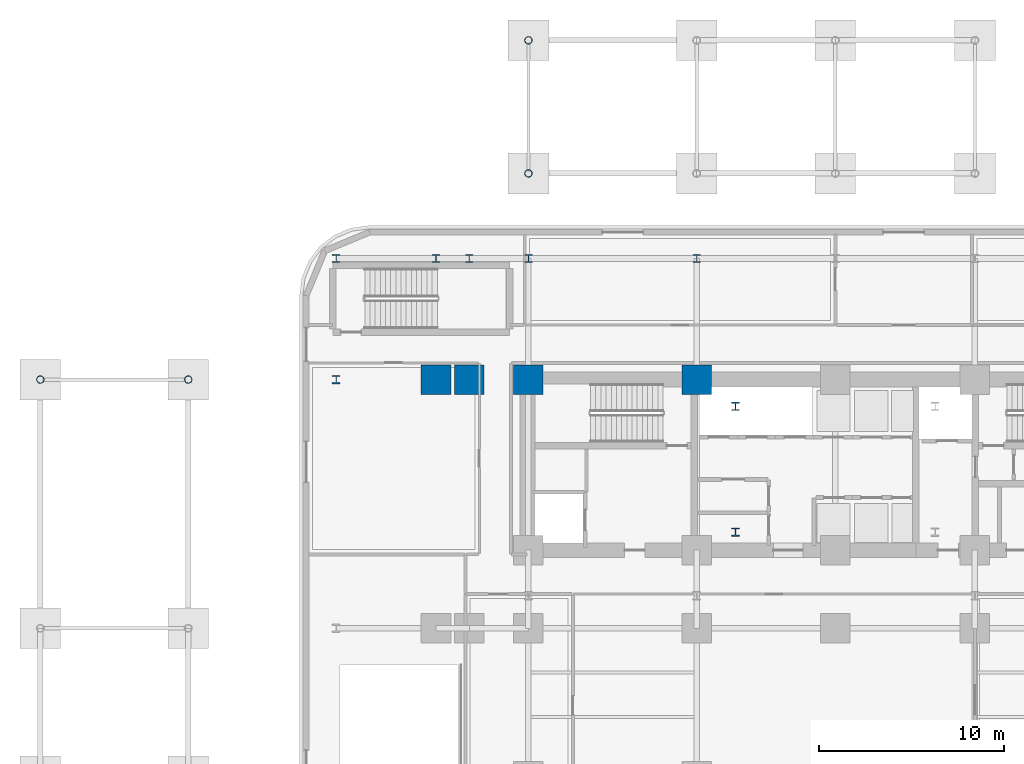
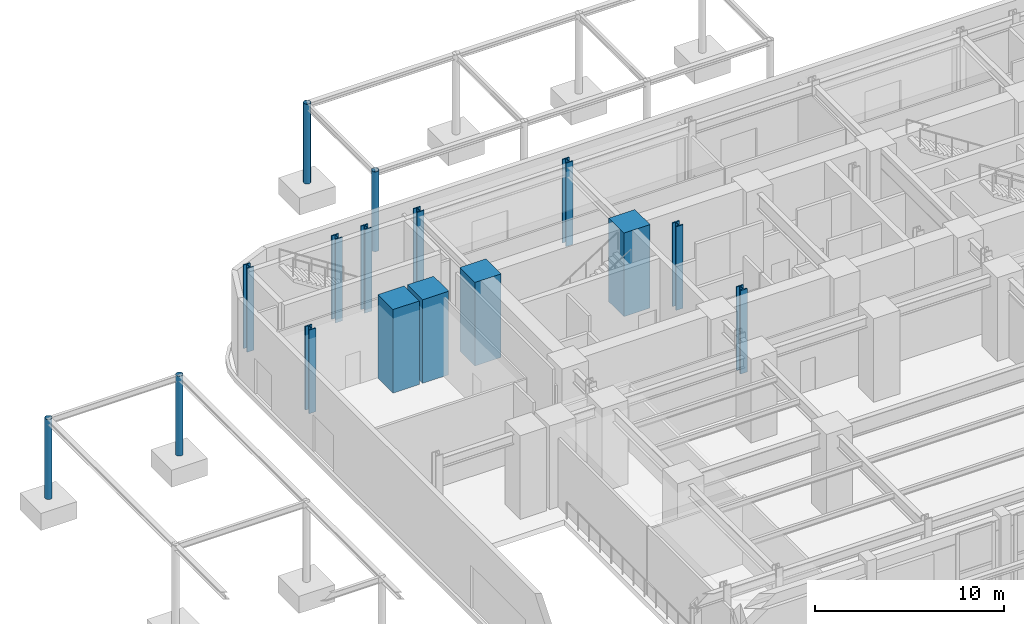
# One storey, part 4 of 21: 16 columns.
"""IFC4 building model written with IfcOpenShell, lengths in metres."""

from ifc_helpers import new_model, si_unit, direction, frame, origin, origin_2d, place, context, subcontext, project, spatial, rectangle, hollow_circle, i_section, extrude, material, material_profile, profile_set, type_object, element, save


model = new_model("IFC4")

# Units and contexts
model_context = context("Model", 3, precision=1e-05, world=origin(), true_north=direction((0.0, 1.0)))
body_context = subcontext(model_context, "Body", "Model", "MODEL_VIEW")
ifc_project = project(units=[si_unit("LENGTHUNIT", "METRE"), si_unit("AREAUNIT", "SQUARE_METRE"), si_unit("VOLUMEUNIT", "CUBIC_METRE"), si_unit("PLANEANGLEUNIT", "RADIAN"), si_unit("MASSUNIT", "GRAM", prefix="KILO")], contexts=[model_context])

# Site, building, storey
site_placement = place(None, origin())
site = spatial("IfcSite", under=ifc_project, at=site_placement, CompositionType="ELEMENT")
building_placement = place(site_placement, origin())
building = spatial("IfcBuilding", under=site, at=building_placement, Name="Zarnavel Station Tower", CompositionType="ELEMENT")
storey_placement = place(building_placement, origin())
storey = spatial("IfcBuildingStorey", under=building, at=storey_placement, Name="L01", CompositionType="ELEMENT", Elevation=0.0)

# Columns
ifc_material_1 = material(Name="Steel S355J2", Category="steel")
ifc_material_profile_1 = material_profile(ifc_material_1, hollow_circle(Radius=0.203125, WallThickness=0.01611328125, at=origin_2d()), Name="CHS406.4x16")
ifc_profile_set_1 = profile_set([ifc_material_profile_1], Name="Steel S355J2")
column_type_1 = type_object("IfcColumnType", Name="EC_CANOPY", PredefinedType="COLUMN", material=ifc_profile_set_1)
for number, where, z_axis, x_axis, name in (
    (1, (-6.199951171875, 37.050048828125, 0.0), (0.0, 0.0, 1.0), (1.0, 0.0, 0.0), "L01 West Forecourt Canopy Column 1-04"),
    (2, (-14.199951171875, 37.050048828125, 0.0), (0.0, 0.0, 1.0), (1.0, 0.0, 0.0), "L01 West Forecourt Canopy Column 2-04"),
    (3, (12.199951171875, 48.199951171875, 0.0), (0.0, 0.0, 1.0), (1.0, 0.0, 0.0), "L01 North Porte-Cochere Column 1-01"),
    (4, (12.199951171875, 55.39990234375, 0.0), (0.0, 0.0, 1.0), (1.0, 0.0, 0.0), "L01 North Porte-Cochere Column 2-01"),
):
    element("IfcColumn", number, at=place(storey_placement, frame(where, z_axis=z_axis, x_axis=x_axis)), inside=storey, type_object=column_type_1, Name=name, PredefinedType="COLUMN", context=body_context, shape_type="SweptSolid", body=[
        extrude(hollow_circle(Radius=0.203125, WallThickness=0.01611328125, at=origin_2d()), origin(), (0.0, 0.0, 1.0), 5.159912109375),
    ])
ifc_material_2 = material(Name="Steel S460M", Category="steel")
ifc_material_profile_2 = material_profile(ifc_material_2, i_section(OverallWidth=0.424072265625, OverallDepth=0.449951171875, WebThickness=0.041015625, FlangeThickness=0.06494140625, FilletRadius=0.014892578125, at=origin_2d()), Name="HD400x509")
ifc_profile_set_2 = profile_set([ifc_material_profile_2], Name="Steel S460M")
column_type_2 = type_object("IfcColumnType", Name="EC_HD509", PredefinedType="COLUMN", material=ifc_profile_set_2)
for number, where, z_axis, x_axis, name in (
    (5, (1.800048828125, 37.050048828125, 0.0), (0.0, 0.0, 1.0), (1.0, 0.0, 0.0), "L01 Perimeter Column 1-4"),
    (6, (1.800048828125, 43.60009765625, 0.0), (0.0, 0.0, 1.0), (1.0, 0.0, 0.0), "L01 Perimeter Column 1-5"),
    (7, (7.199951171875, 43.60009765625, 0.0), (0.0, 0.0, 1.0), (1.0, 0.0, 0.0), "L01 Perimeter Column 2-5"),
    (8, (9.0, 43.60009765625, 0.0), (0.0, 0.0, 1.0), (1.0, 0.0, 0.0), "L01 Perimeter Column 3-5"),
    (9, (12.199951171875, 43.60009765625, 0.0), (0.0, 0.0, 1.0), (1.0, 0.0, 0.0), "L01 Perimeter Column 4-5"),
    (10, (21.300048828125, 43.60009765625, 0.0), (0.0, 0.0, 1.0), (1.0, 0.0, 0.0), "L01 Perimeter Column 5-5"),
):
    element("IfcColumn", number, at=place(storey_placement, frame(where, z_axis=z_axis, x_axis=x_axis)), inside=storey, type_object=column_type_2, Name=name, PredefinedType="COLUMN", context=body_context, shape_type="SweptSolid", body=[
        extrude(i_section(OverallWidth=0.424072265625, OverallDepth=0.449951171875, WebThickness=0.041015625, FlangeThickness=0.06494140625, FilletRadius=0.014892578125, at=origin_2d()), origin(), (0.0, 0.0, 1.0), 5.39990234375),
    ])
ifc_material_3 = material(Name="Steel S460M", Category="steel")
ifc_material_profile_3 = material_profile(ifc_material_3, i_section(OverallWidth=0.427978515625, OverallDepth=0.465087890625, WebThickness=0.044921875, FlangeThickness=0.072998046875, FilletRadius=0.014892578125, at=origin_2d()), Name="HD400x592")
ifc_profile_set_3 = profile_set([ifc_material_profile_3], Name="Steel S460M")
column_type_3 = type_object("IfcColumnType", Name="IC_HD592", PredefinedType="COLUMN", material=ifc_profile_set_3)
for number, where, z_axis, x_axis, name in (
    (11, (23.39990234375, 28.800048828125, 0.0), (0.0, 0.0, 1.0), (1.0, 0.0, 0.0), "L01 Mast Spine Column 1"),
    (12, (23.39990234375, 35.60009765625, 0.0), (0.0, 0.0, 1.0), (1.0, 0.0, 0.0), "L01 Mast Spine Column 4"),
):
    element("IfcColumn", number, at=place(storey_placement, frame(where, z_axis=z_axis, x_axis=x_axis)), inside=storey, type_object=column_type_3, Name=name, PredefinedType="COLUMN", context=body_context, shape_type="SweptSolid", body=[
        extrude(i_section(OverallWidth=0.427978515625, OverallDepth=0.465087890625, WebThickness=0.044921875, FlangeThickness=0.072998046875, FilletRadius=0.014892578125, at=origin_2d()), origin(), (0.0, 0.0, 1.0), 5.39990234375),
    ])
ifc_material_4 = material(Name="Concrete C60/75", Category="concrete")
ifc_material_profile_4 = material_profile(ifc_material_4, rectangle(XDim=1.60009765625, YDim=1.60009765625, at=origin_2d()), Name="RC1600x1600")
ifc_profile_set_4 = profile_set([ifc_material_profile_4], Name="Concrete C60/75")
column_type_4 = type_object("IfcColumnType", Name="IC_RC1600", PredefinedType="COLUMN", material=ifc_profile_set_4)
for number, where, z_axis, x_axis, name in (
    (13, (12.199951171875, 37.050048828125, 0.0), (0.0, 0.0, 1.0), (1.0, 0.0, 0.0), "L01 Core Spine Column 1-2"),
    (14, (21.300048828125, 37.050048828125, 0.0), (0.0, 0.0, 1.0), (1.0, 0.0, 0.0), "L01 Core Spine Column 2-2"),
    (15, (7.199951171875, 37.050048828125, 0.0), (0.0, 0.0, 1.0), (1.0, 0.0, 0.0), "L01 Podium Column 2-4"),
    (16, (9.0, 37.050048828125, 0.0), (0.0, 0.0, 1.0), (1.0, 0.0, 0.0), "L01 Podium Column 3-4"),
):
    element("IfcColumn", number, at=place(storey_placement, frame(where, z_axis=z_axis, x_axis=x_axis)), inside=storey, type_object=column_type_4, Name=name, PredefinedType="COLUMN", context=body_context, shape_type="SweptSolid", body=[
        extrude(rectangle(XDim=1.60009765625, YDim=1.60009765625, at=origin_2d()), origin(), (0.0, 0.0, 1.0), 5.39990234375),
    ])

save(model, "model.ifc")
